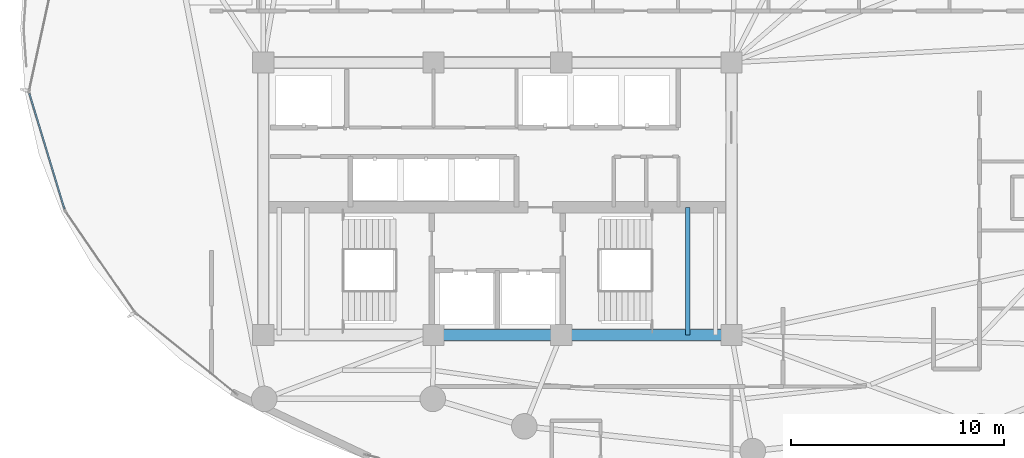
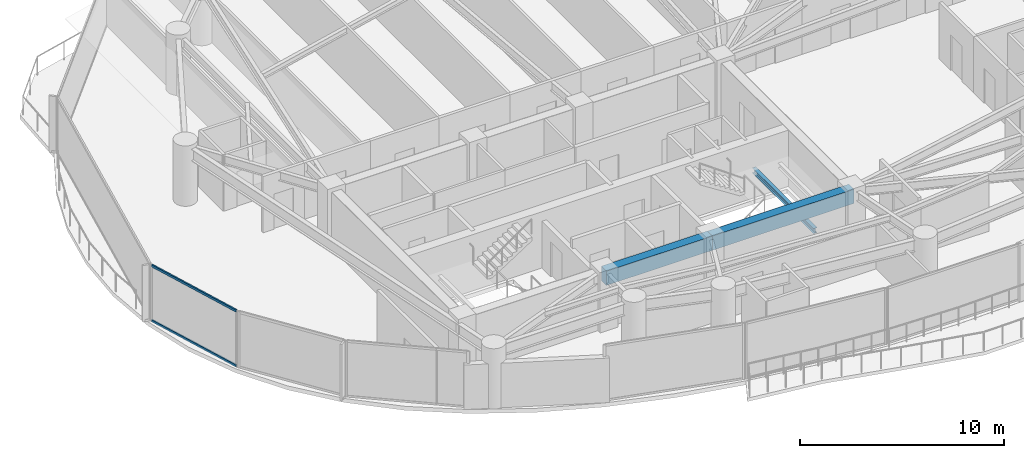
# One storey, part 7 of 34: 3 beams, 2 members, 1 element without a shape of its own.
"""IFC4 building model written with IfcOpenShell, lengths in metres."""

from ifc_helpers import new_model, si_unit, direction, frame, origin, origin_2d, place, context, subcontext, project, spatial, rectangle, hollow_rectangle, i_section, extrude, material, layer, layer_set, material_profile, profile_set, type_object, element, aggregate, save


model = new_model("IFC4")

# Units and contexts
model_context = context("Model", 3, precision=1e-05, world=origin(), true_north=direction((0.0, 1.0)))
body_context = subcontext(model_context, "Body", "Model", "MODEL_VIEW")
ifc_project = project(units=[si_unit("LENGTHUNIT", "METRE"), si_unit("AREAUNIT", "SQUARE_METRE"), si_unit("VOLUMEUNIT", "CUBIC_METRE"), si_unit("PLANEANGLEUNIT", "RADIAN"), si_unit("MASSUNIT", "GRAM", prefix="KILO")], contexts=[model_context])

# Site, building, storey
site_placement = place(None, origin())
site = spatial("IfcSite", under=ifc_project, at=site_placement, CompositionType="ELEMENT")
building_placement = place(site_placement, origin())
building = spatial("IfcBuilding", under=site, at=building_placement, Name="Kazevale Care Tower and Concert Hall", CompositionType="ELEMENT")
storey_placement = place(building_placement, frame((0.0, 0.0, 160.199951171875)))
storey = spatial("IfcBuildingStorey", under=building, at=storey_placement, Name="L42", CompositionType="ELEMENT", Elevation=160.199951171875)

# Curtain wall, members
ifc_material_1 = material(Name="Aluminium 6063-T6 and Low-E Glass", Category="aluminium")
ifc_layer = layer(ifc_material_1, 0.179931640625)
ifc_layer_set = layer_set([ifc_layer], Name="Aluminium 6063-T6 and Low-E Glass")
curtain_wall_type = type_object("IfcCurtainWallType", Name="Waist & Upper Residential Curtain Wall CW-4", PredefinedType="NOTDEFINED", material=ifc_layer_set)
curtain_wall_placement = place(storey_placement, origin())
curtain_wall = element("IfcCurtainWall", 1, at=curtain_wall_placement, inside=storey, type_object=curtain_wall_type, Name="cw:L42:f12", PredefinedType="NOTDEFINED")
ifc_material_2 = material(Name="Aluminium 6063-T6", Category="aluminium")
ifc_material_profile_1 = material_profile(ifc_material_2, hollow_rectangle(XDim=0.080078125, YDim=0.139892578125, WallThickness=0.00390625, at=origin_2d()), Name="ALU80x140x4")
ifc_profile_set_1 = profile_set([ifc_material_profile_1], Name="Aluminium 6063-T6")
member_type = type_object("IfcMemberType", Name="CW-4 Transom ALU80x140x4", PredefinedType="USERDEFINED", material=ifc_profile_set_1)
member_1_placement = place(storey_placement, frame((12.669677734375, 29.517578125, 0.0400390625), z_axis=(-0.290964759976, 0.956733770937, 0.0), x_axis=(-0.956733770937, -0.290964759976, 0.0)))
member_1 = element("IfcMember", 2, at=member_1_placement, type_object=member_type, Name="CW-4 transom 1.1", ObjectType="TRANSOM", PredefinedType="USERDEFINED", context=body_context, shape_type="SweptSolid", body=[
    extrude(hollow_rectangle(XDim=0.080078125, YDim=0.139892578125, WallThickness=0.00390625, at=origin_2d()), origin(), (0.0, 0.0, 1.0), 5.675537109375),
])
member_2_placement = place(storey_placement, frame((12.669677734375, 29.517578125, 3.320068359375), z_axis=(-0.290964759976, 0.956733770937, 0.0), x_axis=(-0.956733770937, -0.290964759976, 0.0)))
member_2 = element("IfcMember", 3, at=member_2_placement, type_object=member_type, Name="CW-4 transom 1.2", ObjectType="TRANSOM", PredefinedType="USERDEFINED", context=body_context, shape_type="SweptSolid", body=[
    extrude(hollow_rectangle(XDim=0.080078125, YDim=0.139892578125, WallThickness=0.00390625, at=origin_2d()), origin(), (0.0, 0.0, 1.0), 5.675537109375),
])
aggregate(curtain_wall, [member_1, member_2])

# Beams
ifc_material_3 = material(Name="Concrete C60", Category="concrete")
ifc_material_profile_2 = material_profile(ifc_material_3, rectangle(XDim=0.5, YDim=0.85009765625, at=origin_2d()), Name="RC-B500x850")
ifc_profile_set_2 = profile_set([ifc_material_profile_2], Name="Concrete C60")
beam_type_1 = type_object("IfcBeamType", Name="Core Coupling Beam RC500x850", PredefinedType="LINTEL", material=ifc_profile_set_2)
beam_1_placement = place(storey_placement, frame((30.0, 23.60009765625, 2.93505859375), z_axis=(1.0, 0.0, 0.0), x_axis=(0.0, 1.0, 0.0)))
element("IfcBeam", 4, at=beam_1_placement, inside=storey, type_object=beam_type_1, Name="beam:L42:coretie:2", PredefinedType="LINTEL", context=body_context, shape_type="SweptSolid", body=[
    extrude(rectangle(XDim=0.5, YDim=0.85009765625, at=origin_2d()), origin(), (0.0, 0.0, 1.0), 6.0),
])
beam_2_placement = place(storey_placement, frame((36.0, 23.60009765625, 2.93505859375), z_axis=(1.0, 0.0, 0.0), x_axis=(0.0, 1.0, 0.0)))
element("IfcBeam", 5, at=beam_2_placement, inside=storey, type_object=beam_type_1, Name="beam:L42:coretie:3", PredefinedType="LINTEL", context=body_context, shape_type="SweptSolid", body=[
    extrude(rectangle(XDim=0.5, YDim=0.85009765625, at=origin_2d()), origin(), (0.0, 0.0, 1.0), 8.0),
])
ifc_material_4 = material(Name="Steel ASTM A572 Gr 50", Category="steel")
ifc_material_profile_3 = material_profile(ifc_material_4, i_section(OverallWidth=0.202880859375, OverallDepth=0.302978515625, WebThickness=0.007568359375, FlangeThickness=0.01318359375, at=origin_2d()), Name="W310x60")
ifc_profile_set_3 = profile_set([ifc_material_profile_3], Name="Steel ASTM A572 Gr 50")
beam_type_2 = type_object("IfcBeamType", Name="Stair & Balcony Trimmer W310x60", PredefinedType="BEAM", material=ifc_profile_set_3)
beam_3_placement = place(storey_placement, frame((41.949951171875, 23.60009765625, 1.448486328125), z_axis=(0.0, 1.0, 0.0), x_axis=(-1.0, 0.0, 0.0)))
element("IfcBeam", 6, at=beam_3_placement, inside=storey, type_object=beam_type_2, Name="beam:L42:sttrim:ST2", PredefinedType="BEAM", context=body_context, shape_type="SweptSolid", body=[
    extrude(i_section(OverallWidth=0.202880859375, OverallDepth=0.302978515625, WebThickness=0.007568359375, FlangeThickness=0.01318359375, at=origin_2d()), origin(), (0.0, 0.0, 1.0), 6.0),
])

save(model, "model.ifc")
